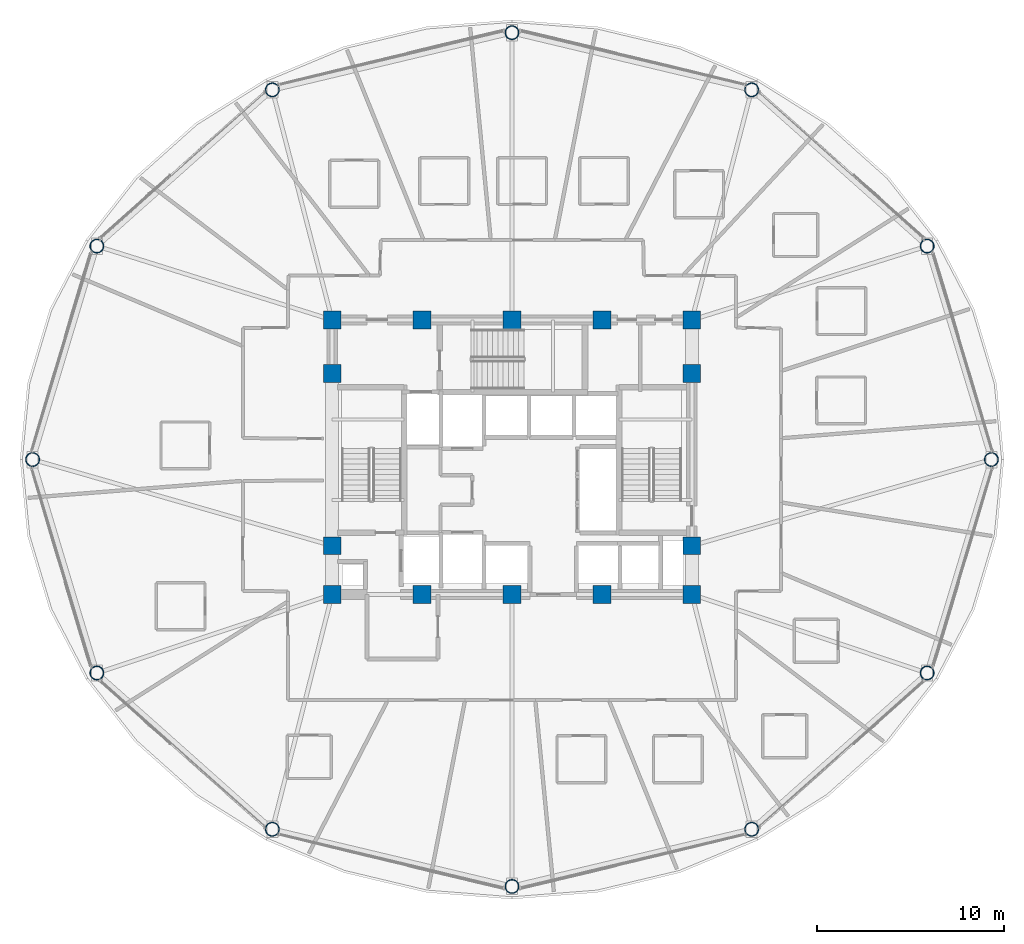
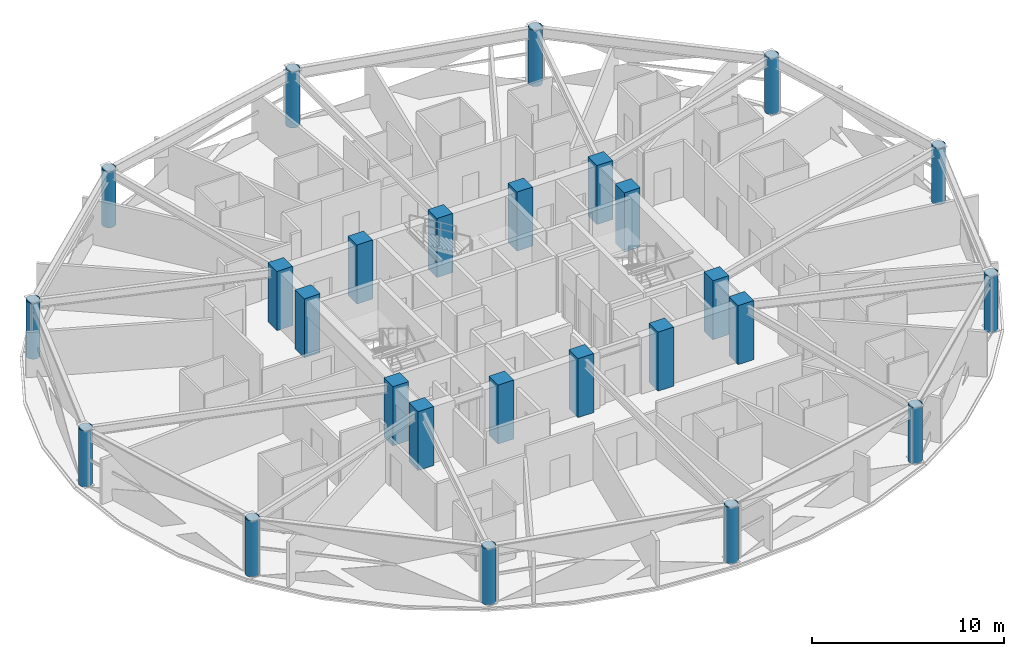
# One storey, part 1 of 32: 26 columns.
"""IFC4 building model written with IfcOpenShell, lengths in metres."""

from ifc_helpers import new_model, si_unit, direction, frame, origin, origin_2d, place, context, subcontext, project, spatial, rectangle, hollow_circle, extrude, material, material_profile, profile_set, type_object, element, save


model = new_model("IFC4")

# Units and contexts
model_context = context("Model", 3, precision=1e-05, world=origin(), true_north=direction((0.0, 1.0)))
body_context = subcontext(model_context, "Body", "Model", "MODEL_VIEW")
ifc_project = project(units=[si_unit("LENGTHUNIT", "METRE"), si_unit("AREAUNIT", "SQUARE_METRE"), si_unit("VOLUMEUNIT", "CUBIC_METRE"), si_unit("PLANEANGLEUNIT", "RADIAN"), si_unit("MASSUNIT", "GRAM", prefix="KILO")], contexts=[model_context])

# Site, building, storey
site_placement = place(None, origin())
site = spatial("IfcSite", under=ifc_project, at=site_placement, CompositionType="ELEMENT")
building_placement = place(site_placement, origin())
building = spatial("IfcBuilding", under=site, at=building_placement, Name="Vantalir Tower", CompositionType="ELEMENT")
storey_placement = place(building_placement, frame((0.0, 0.0, 108.449951171875)))
storey = spatial("IfcBuildingStorey", under=building, at=storey_placement, Name="L26", CompositionType="ELEMENT", Elevation=108.449951171875)

# Columns
ifc_material_1 = material(Name="Concrete C60/75", Category="concrete")
ifc_material_profile_1 = material_profile(ifc_material_1, rectangle(XDim=0.949951171875, YDim=0.949951171875, at=origin_2d()), Name="Concrete C60/75")
ifc_profile_set_1 = profile_set([ifc_material_profile_1], Name="Concrete C60/75")
column_type_1 = type_object("IfcColumnType", Name="COL-CC-950", PredefinedType="COLUMN", material=ifc_profile_set_1)
for number, where, z_axis, x_axis, name in (
    (1, (21.89990234375, 17.800048828125, 0.0), (0.0, 0.0, 1.0), (1.0, 0.0, 0.0), "L26 Core Column CC01"),
    (2, (26.699951171875, 17.800048828125, 0.0), (0.0, 0.0, 1.0), (1.0, 0.0, 0.0), "L26 Core Column CC02"),
    (3, (31.5, 17.800048828125, 0.0), (0.0, 0.0, 1.0), (1.0, 0.0, 0.0), "L26 Core Column CC03"),
    (4, (36.300048828125, 17.800048828125, 0.0), (0.0, 0.0, 1.0), (1.0, 0.0, 0.0), "L26 Core Column CC04"),
    (5, (41.10009765625, 17.800048828125, 0.0), (0.0, 0.0, 1.0), (1.0, 0.0, 0.0), "L26 Core Column CC05"),
    (6, (21.89990234375, 20.39990234375, 0.0), (0.0, 0.0, 1.0), (1.0, 0.0, 0.0), "L26 Core Column CC06"),
    (7, (21.89990234375, 29.60009765625, 0.0), (0.0, 0.0, 1.0), (1.0, 0.0, 0.0), "L26 Core Column CC07"),
    (8, (41.10009765625, 20.39990234375, 0.0), (0.0, 0.0, 1.0), (1.0, 0.0, 0.0), "L26 Core Column CC08"),
    (9, (41.10009765625, 29.60009765625, 0.0), (0.0, 0.0, 1.0), (1.0, 0.0, 0.0), "L26 Core Column CC09"),
    (10, (21.89990234375, 32.449951171875, 0.0), (0.0, 0.0, 1.0), (1.0, 0.0, 0.0), "L26 Core Column CC10"),
    (11, (26.699951171875, 32.449951171875, 0.0), (0.0, 0.0, 1.0), (1.0, 0.0, 0.0), "L26 Core Column CC11"),
    (12, (31.5, 32.449951171875, 0.0), (0.0, 0.0, 1.0), (1.0, 0.0, 0.0), "L26 Core Column CC12"),
    (13, (36.300048828125, 32.449951171875, 0.0), (0.0, 0.0, 1.0), (1.0, 0.0, 0.0), "L26 Core Column CC13"),
    (14, (41.10009765625, 32.449951171875, 0.0), (0.0, 0.0, 1.0), (1.0, 0.0, 0.0), "L26 Core Column CC14"),
):
    element("IfcColumn", number, at=place(storey_placement, frame(where, z_axis=z_axis, x_axis=x_axis)), inside=storey, type_object=column_type_1, Name=name, PredefinedType="COLUMN", context=body_context, shape_type="SweptSolid", body=[
        extrude(rectangle(XDim=0.949951171875, YDim=0.949951171875, at=origin_2d()), origin(), (0.0, 0.0, 1.0), 3.75),
    ])
ifc_material_2 = material(Name="Steel S460", Category="steel")
ifc_material_profile_2 = material_profile(ifc_material_2, hollow_circle(Radius=0.375, WallThickness=0.034912109375, at=origin_2d()), Name="Steel S460")
ifc_profile_set_2 = profile_set([ifc_material_profile_2], Name="Steel S460")
column_type_2 = type_object("IfcColumnType", Name="COL-RC-750", PredefinedType="COLUMN", material=ifc_profile_set_2)
for number, where, z_axis, x_axis, name in (
    (15, (57.087890625, 25.0, 0.0), (0.0, 0.0, 1.0), (1.0, 0.0, 0.0), "L26 Perimeter Ring Column RC01"),
    (16, (53.659912109375, 36.39404296875, 0.0), (0.0, 0.0, 1.0), (1.0, 0.0, 0.0), "L26 Perimeter Ring Column RC02"),
    (17, (44.2939453125, 44.735107421875, 0.0), (0.0, 0.0, 1.0), (1.0, 0.0, 0.0), "L26 Perimeter Ring Column RC03"),
    (18, (31.5, 47.7880859375, 0.0), (0.0, 0.0, 1.0), (1.0, 0.0, 0.0), "L26 Perimeter Ring Column RC04"),
    (19, (18.7060546875, 44.735107421875, 0.0), (0.0, 0.0, 1.0), (1.0, 0.0, 0.0), "L26 Perimeter Ring Column RC05"),
    (20, (9.340087890625, 36.39404296875, 0.0), (0.0, 0.0, 1.0), (1.0, 0.0, 0.0), "L26 Perimeter Ring Column RC06"),
    (21, (5.912109375, 25.0, 0.0), (0.0, 0.0, 1.0), (1.0, 0.0, 0.0), "L26 Perimeter Ring Column RC07"),
    (22, (9.340087890625, 13.60595703125, 0.0), (0.0, 0.0, 1.0), (1.0, 0.0, 0.0), "L26 Perimeter Ring Column RC08"),
    (23, (18.7060546875, 5.264892578125, 0.0), (0.0, 0.0, 1.0), (1.0, 0.0, 0.0), "L26 Perimeter Ring Column RC09"),
    (24, (31.5, 2.2119140625, 0.0), (0.0, 0.0, 1.0), (1.0, 0.0, 0.0), "L26 Perimeter Ring Column RC10"),
    (25, (44.2939453125, 5.264892578125, 0.0), (0.0, 0.0, 1.0), (1.0, 0.0, 0.0), "L26 Perimeter Ring Column RC11"),
    (26, (53.659912109375, 13.60595703125, 0.0), (0.0, 0.0, 1.0), (1.0, 0.0, 0.0), "L26 Perimeter Ring Column RC12"),
):
    element("IfcColumn", number, at=place(storey_placement, frame(where, z_axis=z_axis, x_axis=x_axis)), inside=storey, type_object=column_type_2, Name=name, PredefinedType="COLUMN", context=body_context, shape_type="SweptSolid", body=[
        extrude(hollow_circle(Radius=0.375, WallThickness=0.034912109375, at=origin_2d()), origin(), (0.0, 0.0, 1.0), 3.570068359375),
    ])

save(model, "model.ifc")
